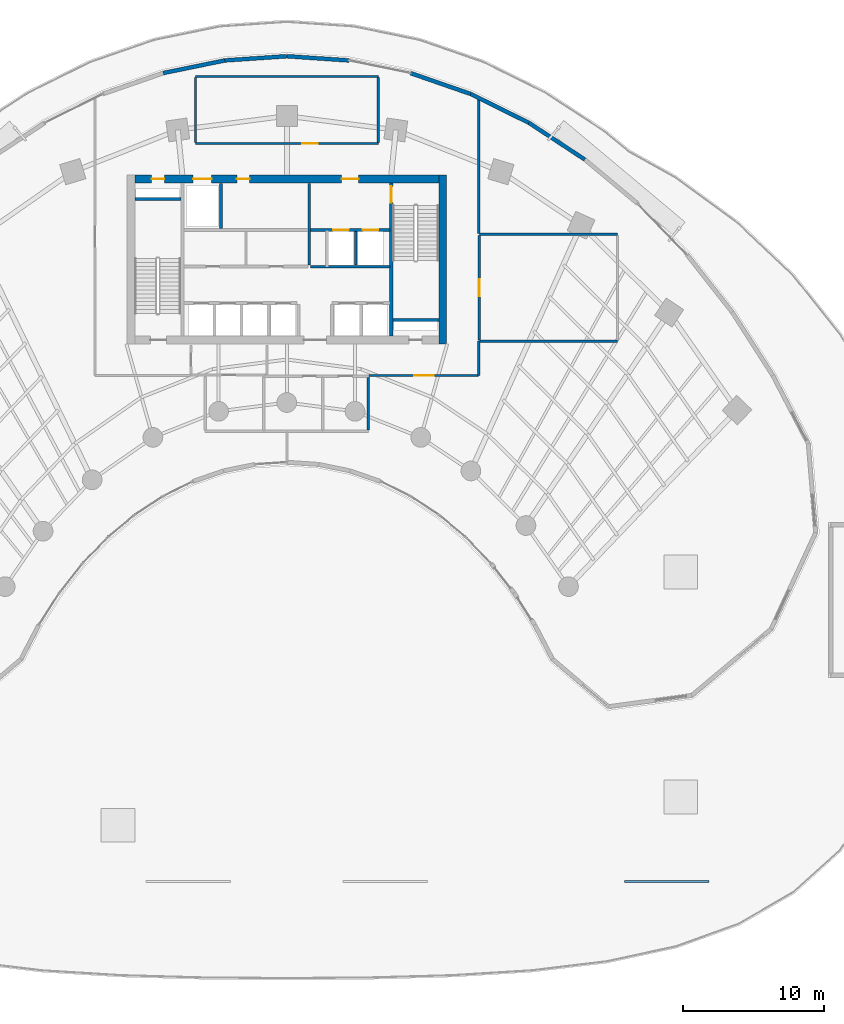
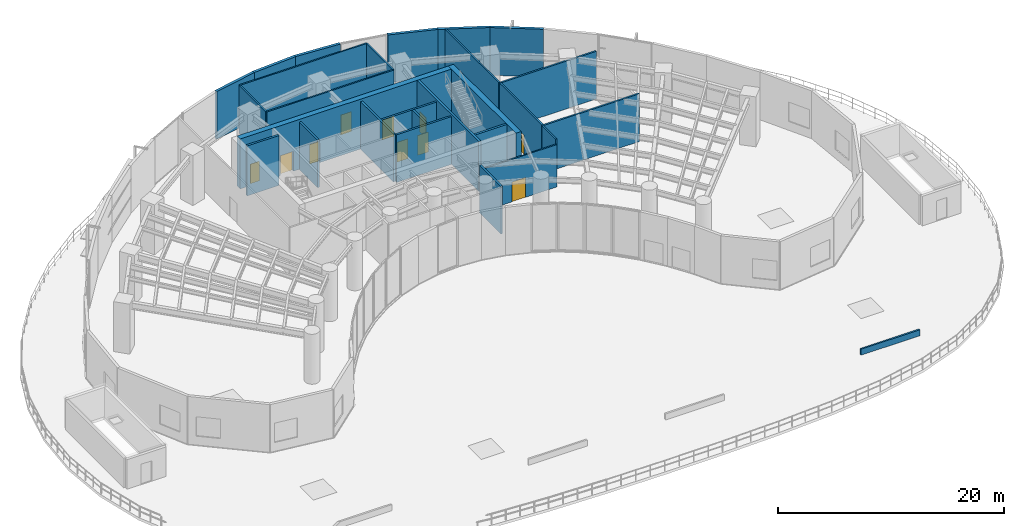
# One storey, part 11 of 17: 28 walls, 10 doors, 10 openings.
"""IFC4 building model written with IfcOpenShell, lengths in metres."""

from ifc_helpers import new_model, si_unit, direction, frame, frame_2d, origin, place, context, subcontext, project, spatial, rectangle, extrude, source, transform, mapped, material, layer, layer_set, type_object, type_shapes, element, fill, save


model = new_model("IFC4")

# Units and contexts
model_context = context("Model", 3, precision=1e-05, world=origin(), true_north=direction((0.0, 1.0)))
body_context = subcontext(model_context, "Body", "Model", "MODEL_VIEW")
ifc_project = project(units=[si_unit("LENGTHUNIT", "METRE"), si_unit("AREAUNIT", "SQUARE_METRE"), si_unit("VOLUMEUNIT", "CUBIC_METRE"), si_unit("PLANEANGLEUNIT", "RADIAN"), si_unit("MASSUNIT", "GRAM", prefix="KILO")], contexts=[model_context])

# Site, building, storey
site_placement = place(None, origin())
site = spatial("IfcSite", under=ifc_project, at=site_placement, CompositionType="ELEMENT")
building_placement = place(site_placement, origin())
building = spatial("IfcBuilding", under=site, at=building_placement, Name="Breltana Convention Tower", CompositionType="ELEMENT")
storey_placement = place(building_placement, frame((0.0, 0.0, 30.0)))
storey = spatial("IfcBuildingStorey", under=building, at=storey_placement, Name="L05", CompositionType="ELEMENT", Elevation=30.0)

# Wall
ifc_material_1 = material(Name="Concrete C60/75", Category="concrete")
ifc_layer_1 = layer(ifc_material_1, 0.550048828125, Name="Concrete C60/75")
ifc_layer_set_1 = layer_set([ifc_layer_1], Name="Concrete C60/75")
wall_type_1 = type_object("IfcWallType", Name="SW-CORE-550", PredefinedType="SHEAR", material=ifc_layer_set_1)
shared_shape_1 = source(origin(), body_context, "Body", "SweptSolid", [
    extrude(rectangle(XDim=12.0, YDim=0.550048828125, at=frame_2d((6.0, 0.0))), origin(), (0.0, 0.0, 1.0), 5.39990234375),
])
wall_1_placement = place(storey_placement, frame((59.074951171875, 60.199951171875, 0.0), z_axis=(0.0, 0.0, 1.0), x_axis=(0.0, 1.0, 0.0)))
element("IfcWall", 1, at=wall_1_placement, inside=storey, type_object=wall_type_1, Name="L05 East Core Shear Wall", PredefinedType="SHEAR", context=body_context, shape_type="MappedRepresentation", body=[
    mapped(shared_shape_1, transform((0.0, 0.0, 0.0), scale=1.0)),
])

# Wall, openings, doors
shared_shape_2 = source(origin(), body_context, "Body", "SweptSolid", [
    extrude(rectangle(XDim=21.60009765625, YDim=0.550048828125, at=frame_2d((10.800048828125, 0.0))), origin(), (0.0, 0.0, 1.0), 5.39990234375),
])
wall_2_placement = place(storey_placement, frame((37.199951171875, 71.925048828125, 0.0), z_axis=(0.0, 0.0, 1.0), x_axis=(1.0, 0.0, 0.0)))
wall_2 = element("IfcWall", 2, at=wall_2_placement, inside=storey, type_object=wall_type_1, Name="L05 North Core Shear Wall", PredefinedType="SHEAR", context=body_context, shape_type="MappedRepresentation", body=[
    mapped(shared_shape_2, transform((0.0, 0.0, 0.0), scale=1.0)),
])
opening_1_placement = place(wall_2_placement, frame((1.199951171875, 0.0, 0.0)))
opening_1 = element("IfcOpeningElement", 3, at=opening_1_placement, cuts=wall_2, Name="Opening D-18", PredefinedType="OPENING", context=body_context, shape_type="SweptSolid", body=[
    extrude(rectangle(XDim=0.89990234375, YDim=2.10009765625, at=frame_2d((0.449951171875, 1.050048828125))), frame((0.0, 0.28515625, 0.0), z_axis=(0.0, -1.0, 0.0), x_axis=(1.0, 0.0, 0.0)), (0.0, 0.0, 1.0), 0.570068359375),
])
opening_2_placement = place(wall_2_placement, frame((14.699951171875, 0.0, 0.0)))
opening_2 = element("IfcOpeningElement", 4, at=opening_2_placement, cuts=wall_2, Name="Opening D-09", PredefinedType="OPENING", context=body_context, shape_type="SweptSolid", body=[
    extrude(rectangle(XDim=1.199951171875, YDim=2.14990234375, at=frame_2d((0.60009765625, 1.074951171875))), frame((0.0, 0.28515625, 0.0), z_axis=(0.0, -1.0, 0.0), x_axis=(1.0, 0.0, 0.0)), (0.0, 0.0, 1.0), 0.570068359375),
])
opening_3_placement = place(wall_2_placement, frame((4.14990234375, 0.0, 0.0)))
opening_3 = element("IfcOpeningElement", 5, at=opening_3_placement, cuts=wall_2, Name="Opening LD-01", PredefinedType="OPENING", context=body_context, shape_type="SweptSolid", body=[
    extrude(rectangle(XDim=1.300048828125, YDim=2.14990234375, at=frame_2d((0.64990234375, 1.074951171875))), frame((0.0, 0.28515625, 0.0), z_axis=(0.0, -1.0, 0.0), x_axis=(1.0, 0.0, 0.0)), (0.0, 0.0, 1.0), 0.570068359375),
])
opening_4_placement = place(wall_2_placement, frame((7.25, 0.0, 0.0)))
opening_4 = element("IfcOpeningElement", 6, at=opening_4_placement, cuts=wall_2, Name="Opening D-18", PredefinedType="OPENING", context=body_context, shape_type="SweptSolid", body=[
    extrude(rectangle(XDim=0.89990234375, YDim=2.10009765625, at=frame_2d((0.449951171875, 1.050048828125))), frame((0.0, 0.28515625, 0.0), z_axis=(0.0, -1.0, 0.0), x_axis=(1.0, 0.0, 0.0)), (0.0, 0.0, 1.0), 0.570068359375),
])
ifc_material_2 = material(Name="Steel Riser Fire Door", Category="steel")
door_type_1 = type_object("IfcDoorType", Name="DR-FD60-900", OperationType="NOTDEFINED", PredefinedType="DOOR", material=ifc_material_2)
shared_shape_3 = source(origin(), body_context, "Body", "SweptSolid", [
    extrude(rectangle(XDim=0.89990234375, YDim=2.10009765625, at=frame_2d((0.449951171875, 1.050048828125))), frame((0.0, 0.02490234375, 0.0), z_axis=(0.0, -1.0, 0.0), x_axis=(1.0, 0.0, 0.0)), (0.0, 0.0, 1.0), 0.050048828125),
])
type_shapes(door_type_1, [shared_shape_3])
door_1_placement = place(opening_1_placement, origin())
door_1 = element("IfcDoor", 7, at=door_1_placement, inside=storey, type_object=door_type_1, Name="L05 Core Riser Access Door D-L05-RS1", OperationType="SINGLE_SWING_LEFT", OverallHeight=2.10009765625, OverallWidth=0.89990234375, PredefinedType="DOOR", context=body_context, shape_type="MappedRepresentation", body=[
    mapped(shared_shape_3, transform((0.0, 0.0, 0.0), scale=1.0)),
])
fill(opening_1, door_1)
door_2_placement = place(opening_4_placement, origin())
door_2 = element("IfcDoor", 8, at=door_2_placement, inside=storey, type_object=door_type_1, Name="L05 interior door D-L05-CRA1", OperationType="SINGLE_SWING_LEFT", OverallHeight=2.10009765625, OverallWidth=0.89990234375, PredefinedType="DOOR", context=body_context, shape_type="MappedRepresentation", body=[
    mapped(shared_shape_3, transform((0.0, 0.0, 0.0), scale=1.0)),
])
fill(opening_4, door_2)
ifc_material_3 = material(Name="Steel Fire Lobby Door", Category="steel")
door_type_2 = type_object("IfcDoorType", Name="DR-FD120-1200", OperationType="NOTDEFINED", PredefinedType="DOOR", material=ifc_material_3)
shared_shape_4 = source(origin(), body_context, "Body", "SweptSolid", [
    extrude(rectangle(XDim=1.199951171875, YDim=2.14990234375, at=frame_2d((0.60009765625, 1.074951171875))), frame((0.0, 0.02490234375, 0.0), z_axis=(0.0, -1.0, 0.0), x_axis=(1.0, 0.0, 0.0)), (0.0, 0.0, 1.0), 0.050048828125),
])
type_shapes(door_type_2, [shared_shape_4])
door_3_placement = place(opening_2_placement, origin())
door_3 = element("IfcDoor", 9, at=door_3_placement, inside=storey, type_object=door_type_2, Name="L05 interior door D-L05-FFL-N", OperationType="SINGLE_SWING_RIGHT", OverallHeight=2.14990234375, OverallWidth=1.199951171875, PredefinedType="DOOR", context=body_context, shape_type="MappedRepresentation", body=[
    mapped(shared_shape_4, transform((0.0, 0.0, 0.0), scale=1.0)),
])
fill(opening_2, door_3)
ifc_material_4 = material(Name="Stainless Steel Brushed", Category="steel")
door_type_3 = type_object("IfcDoorType", Name="DR-LD-SRV-1300", OperationType="DOUBLE_DOOR_SLIDING", PredefinedType="DOOR", material=ifc_material_4)
shared_shape_5 = source(origin(), body_context, "Body", "SweptSolid", [
    extrude(rectangle(XDim=1.300048828125, YDim=2.14990234375, at=frame_2d((0.64990234375, 1.074951171875))), frame((0.0, 0.02490234375, 0.0), z_axis=(0.0, -1.0, 0.0), x_axis=(1.0, 0.0, 0.0)), (0.0, 0.0, 1.0), 0.050048828125),
])
type_shapes(door_type_3, [shared_shape_5])
door_4_placement = place(opening_3_placement, origin())
door_4 = element("IfcDoor", 10, at=door_4_placement, inside=storey, type_object=door_type_3, Name="L05 Lift Landing Door D-L05-LD-SV1", OperationType="DOUBLE_DOOR_SLIDING", OverallHeight=2.14990234375, OverallWidth=1.300048828125, PredefinedType="DOOR", context=body_context, shape_type="MappedRepresentation", body=[
    mapped(shared_shape_5, transform((0.0, 0.0, 0.0), scale=1.0)),
])
fill(opening_3, door_4)

# Walls
ifc_material_5 = material(Name="Concrete C50/60", Category="concrete")
ifc_layer_2 = layer(ifc_material_5, 0.39990234375, Name="Concrete C50/60")
ifc_layer_set_2 = layer_set([ifc_layer_2], Name="Concrete C50/60")
wall_type_2 = type_object("IfcWallType", Name="SW-CORE-400", PredefinedType="SHEAR", material=ifc_layer_set_2)
shared_shape_6 = source(origin(), body_context, "Body", "SweptSolid", [
    extrude(rectangle(XDim=3.27001953125, YDim=0.219970703125, at=frame_2d((1.635009765625, 0.0))), origin(), (0.0, 0.0, 1.0), 5.39990234375),
])
for number, where, z_axis, x_axis, name in (
    (11, (37.199951171875, 70.510009765625, 0.0), (0.0, 0.0, 1.0), (1.0, 0.0, 0.0), "L05 ST-1 Stairwell North Bearing Wall"),
    (12, (55.530029296875, 61.889892578125, 0.0), (0.0, 0.0, 1.0), (1.0, 0.0, 0.0), "L05 ST-2 Stairwell South Bearing Wall"),
):
    element("IfcWall", number, at=place(storey_placement, frame(where, z_axis=z_axis, x_axis=x_axis)), inside=storey, type_object=wall_type_2, Name=name, PredefinedType="SHEAR", context=body_context, shape_type="MappedRepresentation", body=[
        mapped(shared_shape_6, transform((0.0, 0.0, 0.0), scale=1.0)),
    ])

# Wall, opening, door
shared_shape_7 = source(origin(), body_context, "Body", "SweptSolid", [
    extrude(rectangle(XDim=10.89990234375, YDim=0.219970703125, at=frame_2d((5.449951171875, 0.0))), origin(), (0.0, 0.0, 1.0), 5.39990234375),
])
wall_3_placement = place(storey_placement, frame((55.419921875, 60.75, 0.0), z_axis=(0.0, 0.0, 1.0), x_axis=(0.0, 1.0, 0.0)))
wall_3 = element("IfcWall", 13, at=wall_3_placement, inside=storey, type_object=wall_type_2, Name="L05 Core East Stair Spine Wall", PredefinedType="SHEAR", context=body_context, shape_type="MappedRepresentation", body=[
    mapped(shared_shape_7, transform((0.0, 0.0, 0.0), scale=1.0)),
])
opening_5_placement = place(wall_3_placement, frame((9.4951171875, 0.0, 0.0)))
opening_5 = element("IfcOpeningElement", 14, at=opening_5_placement, cuts=wall_3, Name="Opening D-11", PredefinedType="OPENING", context=body_context, shape_type="SweptSolid", body=[
    extrude(rectangle(XDim=1.14990234375, YDim=2.14990234375, at=frame_2d((0.574951171875, 1.074951171875))), frame((0.0, 0.1201171875, 0.0), z_axis=(0.0, -1.0, 0.0), x_axis=(1.0, 0.0, 0.0)), (0.0, 0.0, 1.0), 0.239990234375),
])
ifc_material_6 = material(Name="Steel Stair Exit Door", Category="steel")
door_type_4 = type_object("IfcDoorType", Name="DR-FD120-1150", OperationType="NOTDEFINED", PredefinedType="DOOR", material=ifc_material_6)
shared_shape_8 = source(origin(), body_context, "Body", "SweptSolid", [
    extrude(rectangle(XDim=1.14990234375, YDim=2.14990234375, at=frame_2d((0.574951171875, 1.074951171875))), frame((0.0, 0.02490234375, 0.0), z_axis=(0.0, -1.0, 0.0), x_axis=(1.0, 0.0, 0.0)), (0.0, 0.0, 1.0), 0.050048828125),
])
type_shapes(door_type_4, [shared_shape_8])
door_5_placement = place(opening_5_placement, origin())
door_5 = element("IfcDoor", 15, at=door_5_placement, inside=storey, type_object=door_type_4, Name="L05 interior door D-L05-ST2", OperationType="SINGLE_SWING_LEFT", OverallHeight=2.14990234375, OverallWidth=1.14990234375, PredefinedType="DOOR", context=body_context, shape_type="MappedRepresentation", body=[
    mapped(shared_shape_8, transform((0.0, 0.0, 0.0), scale=1.0)),
])
fill(opening_5, door_5)

# Walls
ifc_material_7 = material(Name="Limestone Buff Insulated Wall", Category="masonry")
ifc_layer_3 = layer(ifc_material_7, 0.280029296875, Name="Limestone Buff Insulated Wall")
ifc_layer_set_3 = layer_set([ifc_layer_3], Name="Limestone Buff Insulated Wall")
wall_type_3 = type_object("IfcWallType", Name="WL-EXT-NOSE-280", PredefinedType="SOLIDWALL", material=ifc_layer_set_3)
shared_shape_9 = source(origin(), body_context, "Body", "SweptSolid", [
    extrude(rectangle(XDim=4.750732421875, YDim=0.280029296875, at=frame_2d((2.37548828125, 0.0))), origin(), (0.0, 0.0, 1.0), 5.159912109375),
])
wall_4_placement = place(storey_placement, frame((65.204345703125, 75.91259765625, 0.0), z_axis=(0.0, 0.0, 1.0), x_axis=(0.835982341491, -0.548756343668, 0.0)))
element("IfcWall", 16, at=wall_4_placement, inside=storey, type_object=wall_type_3, Name="L05 curved limestone nose wall E22", PredefinedType="SOLIDWALL", context=body_context, shape_type="MappedRepresentation", body=[
    mapped(shared_shape_9, transform((0.0, 0.0, 0.0), scale=1.0)),
])
shared_shape_10 = source(origin(), body_context, "Body", "SweptSolid", [
    extrude(rectangle(XDim=4.528076171875, YDim=0.280029296875, at=frame_2d((2.26416015625, 0.0))), origin(), (0.0, 0.0, 1.0), 5.159912109375),
])
wall_5_placement = place(storey_placement, frame((56.779541015625, 79.450439453125, 0.0), z_axis=(0.0, 0.0, 1.0), x_axis=(0.944875124863, -0.327430906322, 0.0)))
element("IfcWall", 17, at=wall_5_placement, inside=storey, type_object=wall_type_3, Name="L05 curved limestone nose wall E20", PredefinedType="SOLIDWALL", context=body_context, shape_type="MappedRepresentation", body=[
    mapped(shared_shape_10, transform((0.0, 0.0, 0.0), scale=1.0)),
])
shared_shape_11 = source(origin(), body_context, "Body", "SweptSolid", [
    extrude(rectangle(XDim=4.458251953125, YDim=0.280029296875, at=frame_2d((2.22900390625, 0.0))), origin(), (0.0, 0.0, 1.0), 5.159912109375),
])
wall_6_placement = place(storey_placement, frame((39.220458984375, 79.450439453125, 0.0), z_axis=(0.0, 0.0, 1.0), x_axis=(0.979608504488, 0.200915847893, 0.0)))
element("IfcWall", 18, at=wall_6_placement, inside=storey, type_object=wall_type_3, Name="L05 curved limestone nose wall E17", PredefinedType="SOLIDWALL", context=body_context, shape_type="MappedRepresentation", body=[
    mapped(shared_shape_11, transform((0.0, 0.0, 0.0), scale=1.0)),
])
shared_shape_12 = source(origin(), body_context, "Body", "SweptSolid", [
    extrude(rectangle(XDim=4.42236328125, YDim=0.280029296875, at=frame_2d((2.211181640625, 0.0))), origin(), (0.0, 0.0, 1.0), 5.159912109375),
])
for number, where, z_axis, x_axis, name in (
    (19, (43.587890625, 80.34619140625, 0.0), (0.0, 0.0, 1.0), (0.99770679638, 0.067684181738, 0.0), "L05 curved limestone nose wall E18"),
    (20, (48.0, 80.6455078125, 0.0), (0.0, 0.0, 1.0), (0.99770679638, -0.067684181738, 0.0), "L05 curved limestone nose wall E19"),
):
    element("IfcWall", number, at=place(storey_placement, frame(where, z_axis=z_axis, x_axis=x_axis)), inside=storey, type_object=wall_type_3, Name=name, PredefinedType="SOLIDWALL", context=body_context, shape_type="MappedRepresentation", body=[
        mapped(shared_shape_12, transform((0.0, 0.0, 0.0), scale=1.0)),
    ])
shared_shape_13 = source(origin(), body_context, "Body", "SweptSolid", [
    extrude(rectangle(XDim=4.627685546875, YDim=0.280029296875, at=frame_2d((2.31396484375, 0.0))), origin(), (0.0, 0.0, 1.0), 5.159912109375),
])
wall_7_placement = place(storey_placement, frame((61.05810546875, 77.9677734375, 0.0), z_axis=(0.0, 0.0, 1.0), x_axis=(0.895972868577, -0.444108791597, 0.0)))
element("IfcWall", 21, at=wall_7_placement, inside=storey, type_object=wall_type_3, Name="L05 curved limestone nose wall E21", PredefinedType="SOLIDWALL", context=body_context, shape_type="MappedRepresentation", body=[
    mapped(shared_shape_13, transform((0.0, 0.0, 0.0), scale=1.0)),
])

# Wall, openings, doors
ifc_material_8 = material(Name="Autoclaved Aerated Concrete Block", Category="concrete")
ifc_layer_4 = layer(ifc_material_8, 0.199951171875, Name="Autoclaved Aerated Concrete Block")
ifc_layer_set_4 = layer_set([ifc_layer_4], Name="Autoclaved Aerated Concrete Block")
wall_type_4 = type_object("IfcWallType", Name="WL-SHAFT-200", PredefinedType="SOLIDWALL", material=ifc_layer_set_4)
shared_shape_14 = source(origin(), body_context, "Body", "SweptSolid", [
    extrude(rectangle(XDim=5.6201171875, YDim=0.199951171875, at=frame_2d((2.81005859375, 0.0))), origin(), (0.0, 0.0, 1.0), 5.159912109375),
])
wall_8_placement = place(storey_placement, frame((49.699951171875, 68.300048828125, 0.0), z_axis=(0.0, 0.0, 1.0), x_axis=(1.0, 0.0, 0.0)))
wall_8 = element("IfcWall", 22, at=wall_8_placement, inside=storey, type_object=wall_type_4, Name="L05 interior partition W-L05-FFL-S", PredefinedType="SOLIDWALL", context=body_context, shape_type="MappedRepresentation", body=[
    mapped(shared_shape_14, transform((0.0, 0.0, 0.0), scale=1.0)),
])
opening_6_placement = place(wall_8_placement, frame((1.60009765625, 0.0, 0.0)))
opening_6 = element("IfcOpeningElement", 23, at=opening_6_placement, cuts=wall_8, Name="Opening LD-03", PredefinedType="OPENING", context=body_context, shape_type="SweptSolid", body=[
    extrude(rectangle(XDim=1.10009765625, YDim=2.14990234375, at=frame_2d((0.550048828125, 1.074951171875))), frame((0.0, 0.10986328125, 0.0), z_axis=(0.0, -1.0, 0.0), x_axis=(1.0, 0.0, 0.0)), (0.0, 0.0, 1.0), 0.219970703125),
])
opening_7_placement = place(wall_8_placement, frame((3.699951171875, 0.0, 0.0)))
opening_7 = element("IfcOpeningElement", 24, at=opening_7_placement, cuts=wall_8, Name="Opening LD-03", PredefinedType="OPENING", context=body_context, shape_type="SweptSolid", body=[
    extrude(rectangle(XDim=1.10009765625, YDim=2.14990234375, at=frame_2d((0.550048828125, 1.074951171875))), frame((0.0, 0.10986328125, 0.0), z_axis=(0.0, -1.0, 0.0), x_axis=(1.0, 0.0, 0.0)), (0.0, 0.0, 1.0), 0.219970703125),
])
door_type_5 = type_object("IfcDoorType", Name="DR-LD-FF-1100", OperationType="DOUBLE_DOOR_SLIDING", PredefinedType="DOOR", material=ifc_material_4)
shared_shape_15 = source(origin(), body_context, "Body", "SweptSolid", [
    extrude(rectangle(XDim=1.10009765625, YDim=2.14990234375, at=frame_2d((0.550048828125, 1.074951171875))), frame((0.0, 0.02490234375, 0.0), z_axis=(0.0, -1.0, 0.0), x_axis=(1.0, 0.0, 0.0)), (0.0, 0.0, 1.0), 0.050048828125),
])
type_shapes(door_type_5, [shared_shape_15])
door_6_placement = place(opening_6_placement, origin())
door_6 = element("IfcDoor", 25, at=door_6_placement, inside=storey, type_object=door_type_5, Name="L05 Lift Landing Door D-L05-LD-FL1", OperationType="DOUBLE_DOOR_SLIDING", OverallHeight=2.14990234375, OverallWidth=1.10009765625, PredefinedType="DOOR", context=body_context, shape_type="MappedRepresentation", body=[
    mapped(shared_shape_15, transform((0.0, 0.0, 0.0), scale=1.0)),
])
fill(opening_6, door_6)
door_7_placement = place(opening_7_placement, origin())
door_7 = element("IfcDoor", 26, at=door_7_placement, inside=storey, type_object=door_type_5, Name="L05 Lift Landing Door D-L05-LD-FL2", OperationType="DOUBLE_DOOR_SLIDING", OverallHeight=2.14990234375, OverallWidth=1.10009765625, PredefinedType="DOOR", context=body_context, shape_type="MappedRepresentation", body=[
    mapped(shared_shape_15, transform((0.0, 0.0, 0.0), scale=1.0)),
])
fill(opening_7, door_7)

# Walls
wall_9_placement = place(storey_placement, frame((49.699951171875, 65.679931640625, 0.0), z_axis=(0.0, 0.0, 1.0), x_axis=(1.0, 0.0, 0.0)))
element("IfcWall", 27, at=wall_9_placement, inside=storey, type_object=wall_type_4, Name="L05 interior partition W-L05-FL-S", PredefinedType="SOLIDWALL", context=body_context, shape_type="MappedRepresentation", body=[
    mapped(shared_shape_14, transform((0.0, 0.0, 0.0), scale=1.0)),
])
shared_shape_16 = source(origin(), body_context, "Body", "SweptSolid", [
    extrude(rectangle(XDim=5.800048828125, YDim=0.199951171875, at=frame_2d((2.89990234375, 0.0))), origin(), (0.0, 0.0, 1.0), 5.159912109375),
])
wall_10_placement = place(storey_placement, frame((49.60009765625, 65.800048828125, 0.0), z_axis=(0.0, 0.0, 1.0), x_axis=(0.0, 1.0, 0.0)))
element("IfcWall", 28, at=wall_10_placement, inside=storey, type_object=wall_type_4, Name="L05 interior partition W-L05-FFL-W", PredefinedType="SOLIDWALL", context=body_context, shape_type="MappedRepresentation", body=[
    mapped(shared_shape_16, transform((0.0, 0.0, 0.0), scale=1.0)),
])
shared_shape_17 = source(origin(), body_context, "Body", "SweptSolid", [
    extrude(rectangle(XDim=2.39990234375, YDim=0.199951171875, at=frame_2d((1.199951171875, 0.0))), origin(), (0.0, 0.0, 1.0), 5.159912109375),
])
wall_11_placement = place(storey_placement, frame((52.89990234375, 65.800048828125, 0.0), z_axis=(0.0, 0.0, 1.0), x_axis=(0.0, 1.0, 0.0)))
element("IfcWall", 29, at=wall_11_placement, inside=storey, type_object=wall_type_4, Name="L05 interior partition W-L05-FL-DIV", PredefinedType="SOLIDWALL", context=body_context, shape_type="MappedRepresentation", body=[
    mapped(shared_shape_17, transform((0.0, 0.0, 0.0), scale=1.0)),
])
shared_shape_18 = source(origin(), body_context, "Body", "SweptSolid", [
    extrude(rectangle(XDim=3.2001953125, YDim=0.199951171875, at=frame_2d((1.60009765625, 0.0))), origin(), (0.0, 0.0, 1.0), 5.159912109375),
])
wall_12_placement = place(storey_placement, frame((43.320068359375, 68.39990234375, 0.0), z_axis=(0.0, 0.0, 1.0), x_axis=(0.0, 1.0, 0.0)))
element("IfcWall", 30, at=wall_12_placement, inside=storey, type_object=wall_type_4, Name="L05 interior partition W-L05-SV-E", PredefinedType="SOLIDWALL", context=body_context, shape_type="MappedRepresentation", body=[
    mapped(shared_shape_18, transform((0.0, 0.0, 0.0), scale=1.0)),
])
ifc_material_9 = material(Name="Cement Board Wet-Area Partition")
ifc_layer_5 = layer(ifc_material_9, 0.175048828125, Name="Cement Board Wet-Area Partition")
ifc_layer_set_5 = layer_set([ifc_layer_5], Name="Cement Board Wet-Area Partition")
wall_type_5 = type_object("IfcWallType", Name="WL-WET-175", PredefinedType="PARTITIONING", material=ifc_layer_set_5)
shared_shape_19 = source(origin(), body_context, "Body", "SweptSolid", [
    extrude(rectangle(XDim=3.7626953125, YDim=0.175048828125, at=frame_2d((1.88134765625, 0.0))), origin(), (0.0, 0.0, 1.0), 5.159912109375),
])
wall_13_placement = place(storey_placement, frame((53.800048828125, 54.07861328125, 0.0), z_axis=(0.0, 0.0, 1.0), x_axis=(0.0, 1.0, 0.0)))
element("IfcWall", 31, at=wall_13_placement, inside=storey, type_object=wall_type_5, Name="L05 interior partition W-L05-WCA-E", PredefinedType="PARTITIONING", context=body_context, shape_type="MappedRepresentation", body=[
    mapped(shared_shape_19, transform((0.0, 0.0, 0.0), scale=1.0)),
])
shared_shape_20 = source(origin(), body_context, "Body", "SweptSolid", [
    extrude(rectangle(XDim=9.820068359375, YDim=0.175048828125, at=frame_2d((4.91015625, 0.0))), origin(), (0.0, 0.0, 1.0), 5.159912109375),
])
wall_14_placement = place(storey_placement, frame((61.679931640625, 60.39990234375, 0.0), z_axis=(0.0, 0.0, 1.0), x_axis=(1.0, 0.0, 0.0)))
element("IfcWall", 32, at=wall_14_placement, inside=storey, type_object=wall_type_5, Name="L05 interior partition W-L05-HKIT-S", PredefinedType="PARTITIONING", context=body_context, shape_type="MappedRepresentation", body=[
    mapped(shared_shape_20, transform((0.0, 0.0, 0.0), scale=1.0)),
])
ifc_material_10 = material(Name="Moisture-Resistant Gypsum Chase Wall")
ifc_layer_6 = layer(ifc_material_10, 0.179931640625, Name="Moisture-Resistant Gypsum Chase Wall")
ifc_layer_set_6 = layer_set([ifc_layer_6], Name="Moisture-Resistant Gypsum Chase Wall")
wall_type_6 = type_object("IfcWallType", Name="WL-PLUMB-180", PredefinedType="PLUMBINGWALL", material=ifc_layer_set_6)
shared_shape_21 = source(origin(), body_context, "Body", "SweptSolid", [
    extrude(rectangle(XDim=9.820068359375, YDim=0.179931640625, at=frame_2d((4.91015625, 0.0))), origin(), (0.0, 0.0, 1.0), 5.159912109375),
])
wall_15_placement = place(storey_placement, frame((61.679931640625, 68.0, 0.0), z_axis=(0.0, 0.0, 1.0), x_axis=(1.0, 0.0, 0.0)))
element("IfcWall", 33, at=wall_15_placement, inside=storey, type_object=wall_type_6, Name="L05 interior partition W-L05-HKIT-N", PredefinedType="PLUMBINGWALL", context=body_context, shape_type="MappedRepresentation", body=[
    mapped(shared_shape_21, transform((0.0, 0.0, 0.0), scale=1.0)),
])

# Wall, opening, door
shared_shape_22 = source(origin(), body_context, "Body", "SweptSolid", [
    extrude(rectangle(XDim=7.442626953125, YDim=0.175048828125, at=frame_2d((3.72119140625, 0.0))), origin(), (0.0, 0.0, 1.0), 5.159912109375),
])
wall_16_placement = place(storey_placement, frame((61.679931640625, 60.478759765625, 0.0), z_axis=(0.0, 0.0, 1.0), x_axis=(0.0, 1.0, 0.0)))
wall_16 = element("IfcWall", 34, at=wall_16_placement, inside=storey, type_object=wall_type_5, Name="L05 interior partition W-L05-HKIT-W", PredefinedType="PARTITIONING", context=body_context, shape_type="MappedRepresentation", body=[
    mapped(shared_shape_22, transform((0.0, 0.0, 0.0), scale=1.0)),
])
opening_8_placement = place(wall_16_placement, frame((3.121337890625, 0.0, 0.0)))
opening_8 = element("IfcOpeningElement", 35, at=opening_8_placement, cuts=wall_16, Name="Opening D-10", PredefinedType="OPENING", context=body_context, shape_type="SweptSolid", body=[
    extrude(rectangle(XDim=1.199951171875, YDim=2.14990234375, at=frame_2d((0.60009765625, 1.074951171875))), frame((0.0, 0.09765625, 0.0), z_axis=(0.0, -1.0, 0.0), x_axis=(1.0, 0.0, 0.0)), (0.0, 0.0, 1.0), 0.195068359375),
])
ifc_material_11 = material(Name="Timber Oak Veneer Fire Door", Category="wood")
door_type_6 = type_object("IfcDoorType", Name="DR-INT-1200", OperationType="NOTDEFINED", PredefinedType="DOOR", material=ifc_material_11)
shared_shape_23 = source(origin(), body_context, "Body", "SweptSolid", [
    extrude(rectangle(XDim=1.199951171875, YDim=2.14990234375, at=frame_2d((0.60009765625, 1.074951171875))), frame((0.0, 0.02490234375, 0.0), z_axis=(0.0, -1.0, 0.0), x_axis=(1.0, 0.0, 0.0)), (0.0, 0.0, 1.0), 0.050048828125),
])
type_shapes(door_type_6, [shared_shape_23])
door_8_placement = place(opening_8_placement, origin())
door_8 = element("IfcDoor", 36, at=door_8_placement, inside=storey, type_object=door_type_6, Name="L05 interior door D-L05-HKIT", OperationType="SINGLE_SWING_RIGHT", OverallHeight=2.14990234375, OverallWidth=1.199951171875, PredefinedType="DOOR", context=body_context, shape_type="MappedRepresentation", body=[
    mapped(shared_shape_23, transform((0.0, 0.0, 0.0), scale=1.0)),
])
fill(opening_8, door_8)

ifc_material_12 = material(Name="Gypsum Acoustic Drywall Partition")
ifc_layer_7 = layer(ifc_material_12, 0.14990234375, Name="Gypsum Acoustic Drywall Partition")
ifc_layer_set_7 = layer_set([ifc_layer_7], Name="Gypsum Acoustic Drywall Partition")
wall_type_7 = type_object("IfcWallType", Name="WL-PART-150", PredefinedType="PARTITIONING", material=ifc_layer_set_7)
shared_shape_24 = source(origin(), body_context, "Body", "SweptSolid", [
    extrude(rectangle(XDim=13.0, YDim=0.14990234375, at=frame_2d((6.5, 0.0))), origin(), (0.0, 0.0, 1.0), 5.159912109375),
])
wall_17_placement = place(storey_placement, frame((41.5, 74.43994140625, 0.0), z_axis=(0.0, 0.0, 1.0), x_axis=(1.0, 0.0, 0.0)))
wall_17 = element("IfcWall", 37, at=wall_17_placement, inside=storey, type_object=wall_type_7, Name="L05 interior partition W-L05-LUG-S", PredefinedType="PARTITIONING", context=body_context, shape_type="MappedRepresentation", body=[
    mapped(shared_shape_24, transform((0.0, 0.0, 0.0), scale=1.0)),
])
opening_9_placement = place(wall_17_placement, frame((7.60009765625, 0.0, 0.0)))
opening_9 = element("IfcOpeningElement", 38, at=opening_9_placement, cuts=wall_17, Name="Opening D-12", PredefinedType="OPENING", context=body_context, shape_type="SweptSolid", body=[
    extrude(rectangle(XDim=1.10009765625, YDim=2.14990234375, at=frame_2d((0.550048828125, 1.074951171875))), frame((0.0, 0.0849609375, 0.0), z_axis=(0.0, -1.0, 0.0), x_axis=(1.0, 0.0, 0.0)), (0.0, 0.0, 1.0), 0.169921875),
])
ifc_material_13 = material(Name="Timber Oak Acoustic Door", Category="wood")
door_type_7 = type_object("IfcDoorType", Name="DR-INT-1100", OperationType="NOTDEFINED", PredefinedType="DOOR", material=ifc_material_13)
shared_shape_25 = source(origin(), body_context, "Body", "SweptSolid", [
    extrude(rectangle(XDim=1.10009765625, YDim=2.14990234375, at=frame_2d((0.550048828125, 1.074951171875))), frame((0.0, 0.02490234375, 0.0), z_axis=(0.0, -1.0, 0.0), x_axis=(1.0, 0.0, 0.0)), (0.0, 0.0, 1.0), 0.050048828125),
])
type_shapes(door_type_7, [shared_shape_25])
door_9_placement = place(opening_9_placement, origin())
door_9 = element("IfcDoor", 39, at=door_9_placement, inside=storey, type_object=door_type_7, Name="L05 interior door D-L05-LUG", OperationType="SINGLE_SWING_LEFT", OverallHeight=2.14990234375, OverallWidth=1.10009765625, PredefinedType="DOOR", context=body_context, shape_type="MappedRepresentation", body=[
    mapped(shared_shape_25, transform((0.0, 0.0, 0.0), scale=1.0)),
])
fill(opening_9, door_9)

# Walls
wall_18_placement = place(storey_placement, frame((41.5, 79.199951171875, 0.0), z_axis=(0.0, 0.0, 1.0), x_axis=(1.0, 0.0, 0.0)))
element("IfcWall", 40, at=wall_18_placement, inside=storey, type_object=wall_type_7, Name="L05 interior partition W-L05-LUG-N", PredefinedType="PARTITIONING", context=body_context, shape_type="MappedRepresentation", body=[
    mapped(shared_shape_24, transform((0.0, 0.0, 0.0), scale=1.0)),
])
shared_shape_26 = source(origin(), body_context, "Body", "SweptSolid", [
    extrude(rectangle(XDim=4.625, YDim=0.14990234375, at=frame_2d((2.3125, 0.0))), origin(), (0.0, 0.0, 1.0), 5.159912109375),
])
for number, where, z_axis, x_axis, name in (
    (41, (41.5, 74.507568359375, 0.0), (0.0, 0.0, 1.0), (0.0, 1.0, 0.0), "L05 interior partition W-L05-LUG-W"),
    (42, (54.5, 74.507568359375, 0.0), (0.0, 0.0, 1.0), (0.0, 1.0, 0.0), "L05 interior partition W-L05-LUG-E"),
):
    element("IfcWall", number, at=place(storey_placement, frame(where, z_axis=z_axis, x_axis=x_axis)), inside=storey, type_object=wall_type_7, Name=name, PredefinedType="PARTITIONING", context=body_context, shape_type="MappedRepresentation", body=[
        mapped(shared_shape_26, transform((0.0, 0.0, 0.0), scale=1.0)),
    ])

# Wall, opening, door
shared_shape_27 = source(origin(), body_context, "Body", "SweptSolid", [
    extrude(rectangle(XDim=7.789794921875, YDim=0.14990234375, at=frame_2d((3.89501953125, 0.0))), origin(), (0.0, 0.0, 1.0), 4.591064453125),
])
wall_19_placement = place(storey_placement, frame((53.85009765625, 57.9599609375, 0.0), z_axis=(0.0, 0.0, 1.0), x_axis=(1.0, 0.0, 0.0)))
wall_19 = element("IfcWall", 43, at=wall_19_placement, inside=storey, type_object=wall_type_7, Name="L05 interior partition W-L05-L05-E", PredefinedType="PARTITIONING", context=body_context, shape_type="MappedRepresentation", body=[
    mapped(shared_shape_27, transform((0.0, 0.0, 0.0), scale=1.0)),
])
opening_10_placement = place(wall_19_placement, frame((3.195068359375, 0.0, 0.0)))
opening_10 = element("IfcOpeningElement", 44, at=opening_10_placement, cuts=wall_19, Name="Opening D-05", PredefinedType="OPENING", context=body_context, shape_type="SweptSolid", body=[
    extrude(rectangle(XDim=1.39990234375, YDim=2.14990234375, at=frame_2d((0.699951171875, 1.074951171875))), frame((0.0, 0.0849609375, 0.0), z_axis=(0.0, -1.0, 0.0), x_axis=(1.0, 0.0, 0.0)), (0.0, 0.0, 1.0), 0.169921875),
])
ifc_material_14 = material(Name="Timber Veneer Glazed Double Door", Category="wood")
door_type_8 = type_object("IfcDoorType", Name="DR-DBL-1400", OperationType="DOUBLE_DOOR_SINGLE_SWING", PredefinedType="DOOR", material=ifc_material_14)
shared_shape_28 = source(origin(), body_context, "Body", "SweptSolid", [
    extrude(rectangle(XDim=1.39990234375, YDim=2.14990234375, at=frame_2d((0.699951171875, 1.074951171875))), frame((0.0, 0.02490234375, 0.0), z_axis=(0.0, -1.0, 0.0), x_axis=(1.0, 0.0, 0.0)), (0.0, 0.0, 1.0), 0.050048828125),
])
type_shapes(door_type_8, [shared_shape_28])
door_10_placement = place(opening_10_placement, origin())
door_10 = element("IfcDoor", 45, at=door_10_placement, inside=storey, type_object=door_type_8, Name="L05 interior door D-L05-HDIN", OperationType="SINGLE_SWING_LEFT", OverallHeight=2.14990234375, OverallWidth=1.39990234375, PredefinedType="DOOR", context=body_context, shape_type="MappedRepresentation", body=[
    mapped(shared_shape_28, transform((0.0, 0.0, 0.0), scale=1.0)),
])
fill(opening_10, door_10)

# Walls
shared_shape_29 = source(origin(), body_context, "Body", "SweptSolid", [
    extrude(rectangle(XDim=2.4599609375, YDim=0.14990234375, at=frame_2d((1.22998046875, 0.0))), origin(), (0.0, 0.0, 1.0), 5.159912109375),
])
wall_20_placement = place(storey_placement, frame((61.639892578125, 57.9599609375, 0.0), z_axis=(0.0, 0.0, 1.0), x_axis=(0.0, 1.0, 0.0)))
element("IfcWall", 46, at=wall_20_placement, inside=storey, type_object=wall_type_7, Name="L05 interior partition W-L05-L05-EC", PredefinedType="PARTITIONING", context=body_context, shape_type="MappedRepresentation", body=[
    mapped(shared_shape_29, transform((0.0, 0.0, 0.0), scale=1.0)),
])
shared_shape_30 = source(origin(), body_context, "Body", "SweptSolid", [
    extrude(rectangle(XDim=9.6181640625, YDim=0.14990234375, at=frame_2d((4.80908203125, 0.0))), origin(), (0.0, 0.0, 1.0), 5.159912109375),
])
wall_21_placement = place(storey_placement, frame((61.639892578125, 68.050048828125, 0.0), z_axis=(0.0, 0.0, 1.0), x_axis=(0.0, 1.0, 0.0)))
element("IfcWall", 47, at=wall_21_placement, inside=storey, type_object=wall_type_7, Name="L05 interior partition W-L05-L05-EN", PredefinedType="PARTITIONING", context=body_context, shape_type="MappedRepresentation", body=[
    mapped(shared_shape_30, transform((0.0, 0.0, 0.0), scale=1.0)),
])
ifc_material_15 = material(Name="Limestone Warm Buff Planter Kerb", Category="masonry")
ifc_layer_8 = layer(ifc_material_15, 0.1650390625, Name="Limestone Warm Buff Planter Kerb")
ifc_layer_set_8 = layer_set([ifc_layer_8], Name="Limestone Warm Buff Planter Kerb")
wall_type_8 = type_object("IfcWallType", Name="WL-PLANTER-200", PredefinedType="PARAPET", material=ifc_layer_set_8)
shared_shape_31 = source(origin(), body_context, "Body", "SweptSolid", [
    extrude(rectangle(XDim=6.0, YDim=0.1650390625, at=frame_2d((3.0, 0.0))), origin(), (0.0, 0.0, 1.0), 0.64990234375),
])
type_shapes(wall_type_8, [shared_shape_31])
wall_22_placement = place(storey_placement, frame((72.0, 22.0, 0.0), z_axis=(0.0, 0.0, 1.0), x_axis=(1.0, 0.0, 0.0)))
element("IfcWall", 48, at=wall_22_placement, inside=storey, type_object=wall_type_8, Name="L05 landscaped terrace stone planter 2", PredefinedType="PARAPET", context=body_context, shape_type="MappedRepresentation", body=[
    mapped(shared_shape_31, transform((0.0, 0.0, 0.0), scale=1.0)),
])

save(model, "model.ifc")
